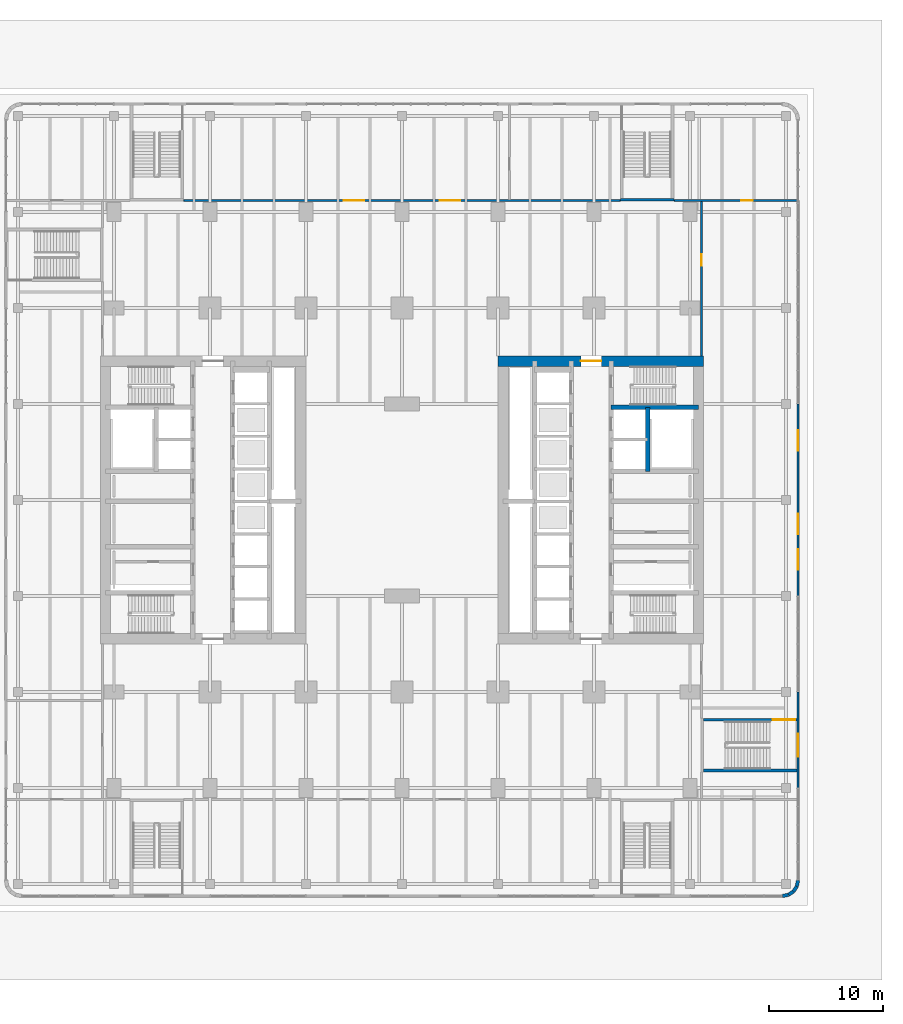
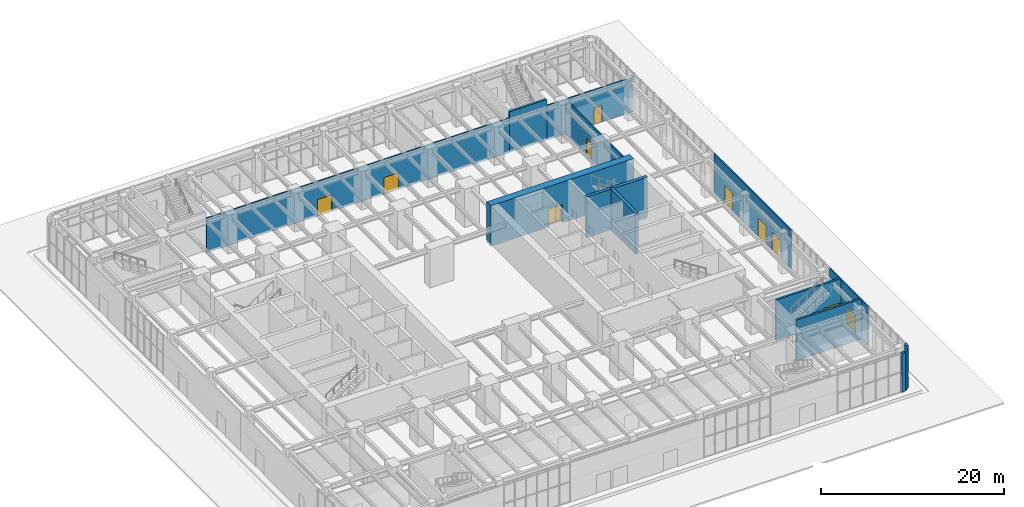
# One storey, part 21 of 31: 15 walls, 10 doors, 10 openings.
"""IFC4 building model written with IfcOpenShell, lengths in metres."""

from ifc_helpers import new_model, si_unit, direction, frame, frame_2d, origin, place, context, subcontext, project, spatial, rectangle, extrude, material, layer, layer_set, type_object, element, fill, save


model = new_model("IFC4")

# Units and contexts
model_context = context("Model", 3, precision=1e-05, world=origin(), true_north=direction((0.0, 1.0)))
body_context = subcontext(model_context, "Body", "Model", "MODEL_VIEW")
ifc_project = project(units=[si_unit("LENGTHUNIT", "METRE"), si_unit("AREAUNIT", "SQUARE_METRE"), si_unit("VOLUMEUNIT", "CUBIC_METRE"), si_unit("PLANEANGLEUNIT", "RADIAN"), si_unit("MASSUNIT", "GRAM", prefix="KILO")], contexts=[model_context])

# Site, building, storey
site_placement = place(None, origin())
site = spatial("IfcSite", under=ifc_project, at=site_placement, CompositionType="ELEMENT")
building_placement = place(site_placement, origin())
building = spatial("IfcBuilding", under=site, at=building_placement, Name="Claustro Exchange Tower", CompositionType="ELEMENT")
storey_placement = place(building_placement, origin())
storey = spatial("IfcBuildingStorey", under=building, at=storey_placement, Name="L00", CompositionType="ELEMENT", Elevation=0.0)

# Wall, opening, door
ifc_material_1 = material(Name="Aluminium frame, clear double glazing", Category="aluminium")
ifc_layer_1 = layer(ifc_material_1, 0.14990234375)
ifc_layer_set_1 = layer_set([ifc_layer_1], Name="Aluminium frame, clear double glazing")
wall_type_1 = type_object("IfcWallType", Name="GS1 150 glazed entrance screen", PredefinedType="SOLIDWALL", material=ifc_layer_set_1)
wall_1_placement = place(storey_placement, frame((59.85009765625, 0.0, 0.0), z_axis=(0.0, 0.0, 1.0), x_axis=(0.0, 1.0, 0.0)))
wall_1 = element("IfcWall", 1, at=wall_1_placement, inside=storey, type_object=wall_type_1, Name="Entrance screen GS1 L00", PredefinedType="SOLIDWALL", context=body_context, shape_type="SweptSolid", body=[
    extrude(rectangle(XDim=8.39990234375, YDim=0.14990234375, at=frame_2d((4.199951171875, 0.0))), origin(), (0.0, 0.0, 1.0), 5.199951171875),
])
opening_1_placement = place(wall_1_placement, frame((2.75, 0.0, 0.0)))
opening_1 = element("IfcOpeningElement", 2, at=opening_1_placement, cuts=wall_1, Name="Opening DE5", PredefinedType="OPENING", context=body_context, shape_type="SweptSolid", body=[
    extrude(rectangle(XDim=2.0, YDim=2.39990234375, at=frame_2d((1.0, 1.199951171875))), frame((0.0, 0.0849609375, 0.0), z_axis=(0.0, -1.0, 0.0), x_axis=(1.0, 0.0, 0.0)), (0.0, 0.0, 1.0), 0.169921875),
])
ifc_material_2 = material(Name="Steel door, painted", Category="steel")
door_type_1 = type_object("IfcDoorType", Name="DE5 2000 x 2400 external final exit double door", OperationType="DOUBLE_DOOR_SINGLE_SWING", PredefinedType="DOOR", material=ifc_material_2)
door_1_placement = place(opening_1_placement, frame((2.0, 0.0, 0.0), z_axis=(0.0, 0.0, 1.0), x_axis=(-1.0, 0.0, 0.0)))
door_1 = element("IfcDoor", 3, at=door_1_placement, inside=storey, type_object=door_type_1, Name="External door DE5 L00", OperationType="DOUBLE_DOOR_SINGLE_SWING", OverallHeight=2.39990234375, OverallWidth=2.0, PredefinedType="DOOR", context=body_context, shape_type="SweptSolid", body=[
    extrude(rectangle(XDim=2.0, YDim=2.39990234375, at=frame_2d((1.0, 1.199951171875))), frame((0.0, 0.02490234375, 0.0), z_axis=(0.0, -1.0, 0.0), x_axis=(1.0, 0.0, 0.0)), (0.0, 0.0, 1.0), 0.050048828125),
])
fill(opening_1, door_1)

# Wall, openings, doors
wall_2_placement = place(storey_placement, frame((59.85009765625, 16.800048828125, 0.0), z_axis=(0.0, 0.0, 1.0), x_axis=(0.0, 1.0, 0.0)))
wall_2 = element("IfcWall", 4, at=wall_2_placement, inside=storey, type_object=wall_type_1, Name="Entrance screen GS1 L00", PredefinedType="SOLIDWALL", context=body_context, shape_type="SweptSolid", body=[
    extrude(rectangle(XDim=16.800048828125, YDim=0.14990234375, at=frame_2d((8.39990234375, 0.0))), origin(), (0.0, 0.0, 1.0), 5.199951171875),
])
opening_2_placement = place(wall_2_placement, frame((2.300048828125, 0.0, 0.0)))
opening_2 = element("IfcOpeningElement", 5, at=opening_2_placement, cuts=wall_2, Name="Opening DE1", PredefinedType="OPENING", context=body_context, shape_type="SweptSolid", body=[
    extrude(rectangle(XDim=1.800048828125, YDim=2.39990234375, at=frame_2d((0.89990234375, 1.199951171875))), frame((0.0, 0.0849609375, 0.0), z_axis=(0.0, -1.0, 0.0), x_axis=(1.0, 0.0, 0.0)), (0.0, 0.0, 1.0), 0.169921875),
])
opening_3_placement = place(wall_2_placement, frame((5.39990234375, 0.0, 0.0)))
opening_3 = element("IfcOpeningElement", 6, at=opening_3_placement, cuts=wall_2, Name="Opening DE1", PredefinedType="OPENING", context=body_context, shape_type="SweptSolid", body=[
    extrude(rectangle(XDim=1.800048828125, YDim=2.39990234375, at=frame_2d((0.89990234375, 1.199951171875))), frame((0.0, 0.0849609375, 0.0), z_axis=(0.0, -1.0, 0.0), x_axis=(1.0, 0.0, 0.0)), (0.0, 0.0, 1.0), 0.169921875),
])
opening_4_placement = place(wall_2_placement, frame((12.699951171875, 0.0, 0.0)))
opening_4 = element("IfcOpeningElement", 7, at=opening_4_placement, cuts=wall_2, Name="Opening DE1", PredefinedType="OPENING", context=body_context, shape_type="SweptSolid", body=[
    extrude(rectangle(XDim=1.800048828125, YDim=2.39990234375, at=frame_2d((0.89990234375, 1.199951171875))), frame((0.0, 0.0849609375, 0.0), z_axis=(0.0, -1.0, 0.0), x_axis=(1.0, 0.0, 0.0)), (0.0, 0.0, 1.0), 0.169921875),
])
ifc_material_3 = material(Name="Aluminium frame, clear double glazing", Category="aluminium")
door_type_2 = type_object("IfcDoorType", Name="DE1 1800 x 2400 entrance double door", OperationType="DOUBLE_DOOR_SINGLE_SWING", PredefinedType="DOOR", material=ifc_material_3)
door_2_placement = place(opening_2_placement, frame((1.800048828125, 0.0, 0.0), z_axis=(0.0, 0.0, 1.0), x_axis=(-1.0, 0.0, 0.0)))
door_2 = element("IfcDoor", 8, at=door_2_placement, inside=storey, type_object=door_type_2, Name="External door DE1 L00", OperationType="DOUBLE_DOOR_SINGLE_SWING", OverallHeight=2.39990234375, OverallWidth=1.800048828125, PredefinedType="DOOR", context=body_context, shape_type="SweptSolid", body=[
    extrude(rectangle(XDim=1.800048828125, YDim=2.39990234375, at=frame_2d((0.89990234375, 1.199951171875))), frame((0.0, 0.02490234375, 0.0), z_axis=(0.0, -1.0, 0.0), x_axis=(1.0, 0.0, 0.0)), (0.0, 0.0, 1.0), 0.050048828125),
])
fill(opening_2, door_2)
door_3_placement = place(opening_3_placement, frame((1.800048828125, 0.0, 0.0), z_axis=(0.0, 0.0, 1.0), x_axis=(-1.0, 0.0, 0.0)))
door_3 = element("IfcDoor", 9, at=door_3_placement, inside=storey, type_object=door_type_2, Name="External door DE1 L00", OperationType="DOUBLE_DOOR_SINGLE_SWING", OverallHeight=2.39990234375, OverallWidth=1.800048828125, PredefinedType="DOOR", context=body_context, shape_type="SweptSolid", body=[
    extrude(rectangle(XDim=1.800048828125, YDim=2.39990234375, at=frame_2d((0.89990234375, 1.199951171875))), frame((0.0, 0.02490234375, 0.0), z_axis=(0.0, -1.0, 0.0), x_axis=(1.0, 0.0, 0.0)), (0.0, 0.0, 1.0), 0.050048828125),
])
fill(opening_3, door_3)
door_4_placement = place(opening_4_placement, frame((1.800048828125, 0.0, 0.0), z_axis=(0.0, 0.0, 1.0), x_axis=(-1.0, 0.0, 0.0)))
door_4 = element("IfcDoor", 10, at=door_4_placement, inside=storey, type_object=door_type_2, Name="External door DE1 L00", OperationType="DOUBLE_DOOR_SINGLE_SWING", OverallHeight=2.39990234375, OverallWidth=1.800048828125, PredefinedType="DOOR", context=body_context, shape_type="SweptSolid", body=[
    extrude(rectangle(XDim=1.800048828125, YDim=2.39990234375, at=frame_2d((0.89990234375, 1.199951171875))), frame((0.0, 0.02490234375, 0.0), z_axis=(0.0, -1.0, 0.0), x_axis=(1.0, 0.0, 0.0)), (0.0, 0.0, 1.0), 0.050048828125),
])
fill(opening_4, door_4)

ifc_material_4 = material(Name="Gypsum board on steel studs", Category="steel")
ifc_layer_2 = layer(ifc_material_4, 0.14990234375)
ifc_layer_set_2 = layer_set([ifc_layer_2], Name="Gypsum board on steel studs")
wall_type_2 = type_object("IfcWallType", Name="P1 150 plasterboard partition", PredefinedType="PARTITIONING", material=ifc_layer_set_2)
wall_3_placement = place(storey_placement, frame((6.1201171875, 51.39990234375, 0.0), z_axis=(0.0, 0.0, 1.0), x_axis=(1.0, 0.0, 0.0)))
wall_3 = element("IfcWall", 11, at=wall_3_placement, inside=storey, type_object=wall_type_2, Name="Partition P1 L00", PredefinedType="PARTITIONING", context=body_context, shape_type="SweptSolid", body=[
    extrude(rectangle(XDim=38.159912109375, YDim=0.14990234375, at=frame_2d((19.080078125, 0.0))), origin(), (0.0, 0.0, 1.0), 4.60009765625),
])
opening_5_placement = place(wall_3_placement, frame((13.97998046875, 0.0, 0.0)))
opening_5 = element("IfcOpeningElement", 12, at=opening_5_placement, cuts=wall_3, Name="Opening D2", PredefinedType="OPENING", context=body_context, shape_type="SweptSolid", body=[
    extrude(rectangle(XDim=1.800048828125, YDim=2.199951171875, at=frame_2d((0.89990234375, 1.10009765625))), frame((0.0, 0.0849609375, 0.0), z_axis=(0.0, -1.0, 0.0), x_axis=(1.0, 0.0, 0.0)), (0.0, 0.0, 1.0), 0.169921875),
])
opening_6_placement = place(wall_3_placement, frame((22.3798828125, 0.0, 0.0)))
opening_6 = element("IfcOpeningElement", 13, at=opening_6_placement, cuts=wall_3, Name="Opening D2", PredefinedType="OPENING", context=body_context, shape_type="SweptSolid", body=[
    extrude(rectangle(XDim=1.800048828125, YDim=2.199951171875, at=frame_2d((0.89990234375, 1.10009765625))), frame((0.0, 0.0849609375, 0.0), z_axis=(0.0, -1.0, 0.0), x_axis=(1.0, 0.0, 0.0)), (0.0, 0.0, 1.0), 0.169921875),
])
ifc_material_5 = material(Name="Timber door, oak veneer", Category="wood")
door_type_3 = type_object("IfcDoorType", Name="D2 1800 x 2200 double door", OperationType="DOUBLE_DOOR_SINGLE_SWING", PredefinedType="DOOR", material=ifc_material_5)
door_5_placement = place(opening_5_placement, origin())
door_5 = element("IfcDoor", 14, at=door_5_placement, inside=storey, type_object=door_type_3, Name="Double door D2 L00", OperationType="DOUBLE_DOOR_SINGLE_SWING", OverallHeight=2.199951171875, OverallWidth=1.800048828125, PredefinedType="DOOR", context=body_context, shape_type="SweptSolid", body=[
    extrude(rectangle(XDim=1.800048828125, YDim=2.199951171875, at=frame_2d((0.89990234375, 1.10009765625))), frame((0.0, 0.02490234375, 0.0), z_axis=(0.0, -1.0, 0.0), x_axis=(1.0, 0.0, 0.0)), (0.0, 0.0, 1.0), 0.050048828125),
])
fill(opening_5, door_5)
door_6_placement = place(opening_6_placement, origin())
door_6 = element("IfcDoor", 15, at=door_6_placement, inside=storey, type_object=door_type_3, Name="Double door D2 L00", OperationType="DOUBLE_DOOR_SINGLE_SWING", OverallHeight=2.199951171875, OverallWidth=1.800048828125, PredefinedType="DOOR", context=body_context, shape_type="SweptSolid", body=[
    extrude(rectangle(XDim=1.800048828125, YDim=2.199951171875, at=frame_2d((0.89990234375, 1.10009765625))), frame((0.0, 0.02490234375, 0.0), z_axis=(0.0, -1.0, 0.0), x_axis=(1.0, 0.0, 0.0)), (0.0, 0.0, 1.0), 0.050048828125),
])
fill(opening_6, door_6)

# Wall, opening, door
wall_4_placement = place(storey_placement, frame((49.02001953125, 51.39990234375, 0.0), z_axis=(0.0, 0.0, 1.0), x_axis=(1.0, 0.0, 0.0)))
wall_4 = element("IfcWall", 16, at=wall_4_placement, inside=storey, type_object=wall_type_2, Name="Partition P1 L00", PredefinedType="PARTITIONING", context=body_context, shape_type="SweptSolid", body=[
    extrude(rectangle(XDim=10.73193359375, YDim=0.14990234375, at=frame_2d((5.365966796875, 0.0))), origin(), (0.0, 0.0, 1.0), 4.60009765625),
])
opening_7_placement = place(wall_4_placement, frame((5.8798828125, 0.0, 0.0)))
opening_7 = element("IfcOpeningElement", 17, at=opening_7_placement, cuts=wall_4, Name="Opening D1", PredefinedType="OPENING", context=body_context, shape_type="SweptSolid", body=[
    extrude(rectangle(XDim=1.0, YDim=2.199951171875, at=frame_2d((0.5, 1.10009765625))), frame((0.0, 0.0849609375, 0.0), z_axis=(0.0, -1.0, 0.0), x_axis=(1.0, 0.0, 0.0)), (0.0, 0.0, 1.0), 0.169921875),
])
ifc_material_6 = material(Name="Timber door, oak veneer", Category="wood")
door_type_4 = type_object("IfcDoorType", Name="D1 1000 x 2200 single door", OperationType="SINGLE_SWING_LEFT", PredefinedType="DOOR", material=ifc_material_6)
door_7_placement = place(opening_7_placement, origin())
door_7 = element("IfcDoor", 18, at=door_7_placement, inside=storey, type_object=door_type_4, Name="Door D1 L00", OperationType="SINGLE_SWING_RIGHT", OverallHeight=2.199951171875, OverallWidth=1.0, PredefinedType="DOOR", context=body_context, shape_type="SweptSolid", body=[
    extrude(rectangle(XDim=1.0, YDim=2.199951171875, at=frame_2d((0.5, 1.10009765625))), frame((0.0, 0.02490234375, 0.0), z_axis=(0.0, -1.0, 0.0), x_axis=(1.0, 0.0, 0.0)), (0.0, 0.0, 1.0), 0.050048828125),
])
fill(opening_7, door_7)

wall_5_placement = place(storey_placement, frame((51.39990234375, 37.800048828125, 0.0), z_axis=(0.0, 0.0, 1.0), x_axis=(0.0, 1.0, 0.0)))
wall_5 = element("IfcWall", 19, at=wall_5_placement, inside=storey, type_object=wall_type_2, Name="Partition P1 L00", PredefinedType="PARTITIONING", context=body_context, shape_type="SweptSolid", body=[
    extrude(rectangle(XDim=13.52587890625, YDim=0.14990234375, at=frame_2d((6.762939453125, 0.0))), origin(), (0.0, 0.0, 1.0), 4.60009765625),
])
opening_8_placement = place(wall_5_placement, frame((7.89990234375, 0.0, 0.0)))
opening_8 = element("IfcOpeningElement", 20, at=opening_8_placement, cuts=wall_5, Name="Opening D1", PredefinedType="OPENING", context=body_context, shape_type="SweptSolid", body=[
    extrude(rectangle(XDim=1.0, YDim=2.199951171875, at=frame_2d((0.5, 1.10009765625))), frame((0.0, 0.0849609375, 0.0), z_axis=(0.0, -1.0, 0.0), x_axis=(1.0, 0.0, 0.0)), (0.0, 0.0, 1.0), 0.169921875),
])
door_8_placement = place(opening_8_placement, origin())
door_8 = element("IfcDoor", 21, at=door_8_placement, inside=storey, type_object=door_type_4, Name="Door D1 L00", OperationType="SINGLE_SWING_RIGHT", OverallHeight=2.199951171875, OverallWidth=1.0, PredefinedType="DOOR", context=body_context, shape_type="SweptSolid", body=[
    extrude(rectangle(XDim=1.0, YDim=2.199951171875, at=frame_2d((0.5, 1.10009765625))), frame((0.0, 0.02490234375, 0.0), z_axis=(0.0, -1.0, 0.0), x_axis=(1.0, 0.0, 0.0)), (0.0, 0.0, 1.0), 0.050048828125),
])
fill(opening_8, door_8)

# Walls
ifc_material_7 = material(Name="Concrete HA-40 (C40/50), precast, white cement, acid-etched", Category="concrete")
ifc_layer_3 = layer(ifc_material_7, 0.300048828125)
ifc_layer_set_3 = layer_set([ifc_layer_3], Name="Concrete HA-40 (C40/50), precast, white cement, acid-etched")
wall_type_3 = type_object("IfcWallType", Name="PC1 300 precast concrete pier panel", PredefinedType="SOLIDWALL", material=ifc_layer_set_3)
wall_6_placement = place(storey_placement, frame((59.85009765625, -8.085205078125, 0.0), z_axis=(0.0, 0.0, 1.0), x_axis=(-0.1955082817, -0.980702050465, 0.0)))
element("IfcWall", 22, at=wall_6_placement, inside=storey, type_object=wall_type_3, Name="Precast pier panel PC1 L00", PredefinedType="SOLIDWALL", context=body_context, shape_type="SweptSolid", body=[
    extrude(rectangle(XDim=0.540771484375, YDim=0.300048828125, at=frame_2d((0.2705078125, 0.0))), origin(), (0.0, 0.0, 1.0), 5.199951171875),
])
wall_7_placement = place(storey_placement, frame((59.744384765625, -8.615478515625, 0.0), z_axis=(0.0, 0.0, 1.0), x_axis=(-0.555236195849, -0.831692711774, 0.0)))
element("IfcWall", 23, at=wall_7_placement, inside=storey, type_object=wall_type_3, Name="Precast pier panel PC1 L00", PredefinedType="SOLIDWALL", context=body_context, shape_type="SweptSolid", body=[
    extrude(rectangle(XDim=0.525390625, YDim=0.300048828125, at=frame_2d((0.2626953125, 0.0))), origin(), (0.0, 0.0, 1.0), 5.199951171875),
])
wall_8_placement = place(storey_placement, frame((59.45263671875, -9.052490234375, 0.0), z_axis=(0.0, 0.0, 1.0), x_axis=(-0.831621430339, -0.55534295404, 0.0)))
element("IfcWall", 24, at=wall_8_placement, inside=storey, type_object=wall_type_3, Name="Precast pier panel PC1 L00", PredefinedType="SOLIDWALL", context=body_context, shape_type="SweptSolid", body=[
    extrude(rectangle(XDim=0.52587890625, YDim=0.300048828125, at=frame_2d((0.262939453125, 0.0))), origin(), (0.0, 0.0, 1.0), 5.199951171875),
])
wall_9_placement = place(storey_placement, frame((59.015380859375, -9.344482421875, 0.0), z_axis=(0.0, 0.0, 1.0), x_axis=(-0.980788534345, -0.195073962632, 0.0)))
element("IfcWall", 25, at=wall_9_placement, inside=storey, type_object=wall_type_3, Name="Precast pier panel PC1 L00", PredefinedType="SOLIDWALL", context=body_context, shape_type="SweptSolid", body=[
    extrude(rectangle(XDim=0.540771484375, YDim=0.300048828125, at=frame_2d((0.2705078125, 0.0))), origin(), (0.0, 0.0, 1.0), 5.199951171875),
])

# Wall, opening, door
ifc_material_8 = material(Name="Concrete HA-70 (C70/85)", Category="concrete")
ifc_layer_4 = layer(ifc_material_8, 0.89990234375)
ifc_layer_set_4 = layer_set([ifc_layer_4], Name="Concrete HA-70 (C70/85)")
wall_type_4 = type_object("IfcWallType", Name="SW1 900 core shear wall", PredefinedType="SHEAR", material=ifc_layer_set_4)
wall_10_placement = place(storey_placement, frame((33.60009765625, 37.35009765625, 0.0), z_axis=(0.0, 0.0, 1.0), x_axis=(1.0, 0.0, 0.0)))
wall_10 = element("IfcWall", 26, at=wall_10_placement, inside=storey, type_object=wall_type_4, Name="Core wall SW1 E core N face L00", PredefinedType="SHEAR", context=body_context, shape_type="SweptSolid", body=[
    extrude(rectangle(XDim=18.0, YDim=0.89990234375, at=frame_2d((9.0, 0.0))), origin(), (0.0, 0.0, 1.0), 5.39990234375),
])
opening_9_placement = place(wall_10_placement, frame((7.25, 0.0, 0.0)))
opening_9 = element("IfcOpeningElement", 27, at=opening_9_placement, cuts=wall_10, Name="Opening D3", PredefinedType="OPENING", context=body_context, shape_type="SweptSolid", body=[
    extrude(rectangle(XDim=1.800048828125, YDim=2.39990234375, at=frame_2d((0.89990234375, 1.199951171875))), frame((0.0, 0.4599609375, 0.0), z_axis=(0.0, -1.0, 0.0), x_axis=(1.0, 0.0, 0.0)), (0.0, 0.0, 1.0), 0.919921875),
])
ifc_material_9 = material(Name="Steel fire door, painted", Category="steel")
door_type_5 = type_object("IfcDoorType", Name="D3 1800 x 2400 fire-rated lobby double door", OperationType="DOUBLE_DOOR_SINGLE_SWING", PredefinedType="DOOR", material=ifc_material_9)
door_9_placement = place(opening_9_placement, frame((1.800048828125, 0.0, 0.0), z_axis=(0.0, 0.0, 1.0), x_axis=(-1.0, 0.0, 0.0)))
door_9 = element("IfcDoor", 28, at=door_9_placement, inside=storey, type_object=door_type_5, Name="Lift lobby door D3 L00", OperationType="DOUBLE_DOOR_SINGLE_SWING", OverallHeight=2.39990234375, OverallWidth=1.800048828125, PredefinedType="DOOR", context=body_context, shape_type="SweptSolid", body=[
    extrude(rectangle(XDim=1.800048828125, YDim=2.39990234375, at=frame_2d((0.89990234375, 1.199951171875))), frame((0.0, 0.02490234375, 0.0), z_axis=(0.0, -1.0, 0.0), x_axis=(1.0, 0.0, 0.0)), (0.0, 0.0, 1.0), 0.050048828125),
])
fill(opening_9, door_9)

# Walls
ifc_material_10 = material(Name="Concrete HA-50 (C50/60)", Category="concrete")
ifc_layer_5 = layer(ifc_material_10, 0.39990234375)
ifc_layer_set_5 = layer_set([ifc_layer_5], Name="Concrete HA-50 (C50/60)")
wall_type_5 = type_object("IfcWallType", Name="SW4 400 internal core wall", PredefinedType="SHEAR", material=ifc_layer_set_5)
wall_11_placement = place(storey_placement, frame((51.14990234375, 33.300048828125, 0.0), z_axis=(0.0, 0.0, 1.0), x_axis=(-1.0, 0.0, 0.0)))
element("IfcWall", 29, at=wall_11_placement, inside=storey, type_object=wall_type_5, Name="Internal core wall SW4 E core L00", PredefinedType="SHEAR", context=body_context, shape_type="SweptSolid", body=[
    extrude(rectangle(XDim=7.64990234375, YDim=0.39990234375, at=frame_2d((3.824951171875, 0.0))), origin(), (0.0, 0.0, 1.0), 5.39990234375),
])
wall_12_placement = place(storey_placement, frame((46.699951171875, 27.699951171875, 0.0), z_axis=(0.0, 0.0, 1.0), x_axis=(0.0, 1.0, 0.0)))
element("IfcWall", 30, at=wall_12_placement, inside=storey, type_object=wall_type_5, Name="Internal core wall SW4 E core L00", PredefinedType="SHEAR", context=body_context, shape_type="SweptSolid", body=[
    extrude(rectangle(XDim=5.60009765625, YDim=0.39990234375, at=frame_2d((2.800048828125, 0.0))), origin(), (0.0, 0.0, 1.0), 5.39990234375),
])
ifc_material_11 = material(Name="Concrete HA-40 (C40/50)", Category="concrete")
ifc_layer_6 = layer(ifc_material_11, 0.25)
ifc_layer_set_6 = layer_set([ifc_layer_6], Name="Concrete HA-40 (C40/50)")
wall_type_6 = type_object("IfcWallType", Name="SW7 250 reinforced concrete stair wall", PredefinedType="SOLIDWALL", material=ifc_layer_set_6)
wall_13_placement = place(storey_placement, frame((44.300048828125, 51.47509765625, 0.0), z_axis=(0.0, 0.0, 1.0), x_axis=(1.0, 0.0, 0.0)))
element("IfcWall", 31, at=wall_13_placement, inside=storey, type_object=wall_type_6, Name="Stair enclosure wall STP4 SW7 L00", PredefinedType="SOLIDWALL", context=body_context, shape_type="SweptSolid", body=[
    extrude(rectangle(XDim=4.699951171875, YDim=0.25, at=frame_2d((2.35009765625, 0.0))), origin(), (0.0, 0.0, 1.0), 5.39990234375),
])
wall_14_placement = place(storey_placement, frame((59.77587890625, 1.52490234375, 0.0), z_axis=(0.0, 0.0, 1.0), x_axis=(-1.0, 0.0, 0.0)))
element("IfcWall", 32, at=wall_14_placement, inside=storey, type_object=wall_type_6, Name="Stair enclosure wall STP6 SW7 L00", PredefinedType="SOLIDWALL", context=body_context, shape_type="SweptSolid", body=[
    extrude(rectangle(XDim=8.17578125, YDim=0.25, at=frame_2d((4.087890625, 0.0))), origin(), (0.0, 0.0, 1.0), 5.39990234375),
])

# Wall, opening, door
wall_15_placement = place(storey_placement, frame((59.77587890625, 5.97509765625, 0.0), z_axis=(0.0, 0.0, 1.0), x_axis=(-1.0, 0.0, 0.0)))
wall_15 = element("IfcWall", 33, at=wall_15_placement, inside=storey, type_object=wall_type_6, Name="Stair enclosure wall STP6 SW7 L00", PredefinedType="SOLIDWALL", context=body_context, shape_type="SweptSolid", body=[
    extrude(rectangle(XDim=8.17578125, YDim=0.25, at=frame_2d((4.087890625, 0.0))), origin(), (0.0, 0.0, 1.0), 5.39990234375),
])
opening_10_placement = place(wall_15_placement, frame((0.14990234375, 0.0, 0.0)))
opening_10 = element("IfcOpeningElement", 34, at=opening_10_placement, cuts=wall_15, Name="Opening D11", PredefinedType="OPENING", context=body_context, shape_type="SweptSolid", body=[
    extrude(rectangle(XDim=2.0, YDim=2.199951171875, at=frame_2d((1.0, 1.10009765625))), frame((0.0, 0.135009765625, 0.0), z_axis=(0.0, -1.0, 0.0), x_axis=(1.0, 0.0, 0.0)), (0.0, 0.0, 1.0), 0.27001953125),
])
ifc_material_12 = material(Name="Steel fire door, painted", Category="steel")
door_type_6 = type_object("IfcDoorType", Name="D11 2000 x 2200 fire-rated stair double door", OperationType="DOUBLE_DOOR_SINGLE_SWING", PredefinedType="DOOR", material=ifc_material_12)
door_10_placement = place(opening_10_placement, frame((2.0, 0.0, 0.0), z_axis=(0.0, 0.0, 1.0), x_axis=(-1.0, 0.0, 0.0)))
door_10 = element("IfcDoor", 35, at=door_10_placement, inside=storey, type_object=door_type_6, Name="Stair door STP6 D11 L00", OperationType="DOUBLE_DOOR_SINGLE_SWING", OverallHeight=2.199951171875, OverallWidth=2.0, PredefinedType="DOOR", context=body_context, shape_type="SweptSolid", body=[
    extrude(rectangle(XDim=2.0, YDim=2.199951171875, at=frame_2d((1.0, 1.10009765625))), frame((0.0, 0.02490234375, 0.0), z_axis=(0.0, -1.0, 0.0), x_axis=(1.0, 0.0, 0.0)), (0.0, 0.0, 1.0), 0.050048828125),
])
fill(opening_10, door_10)

save(model, "model.ifc")
